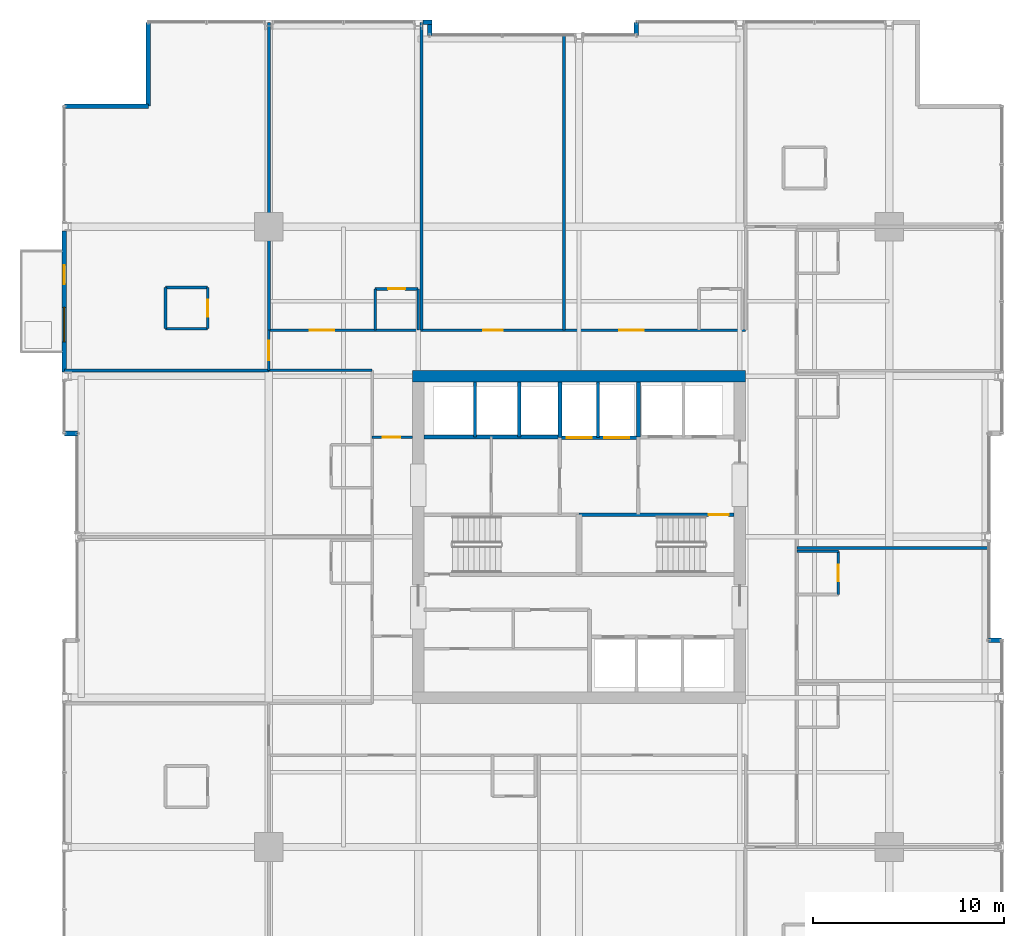
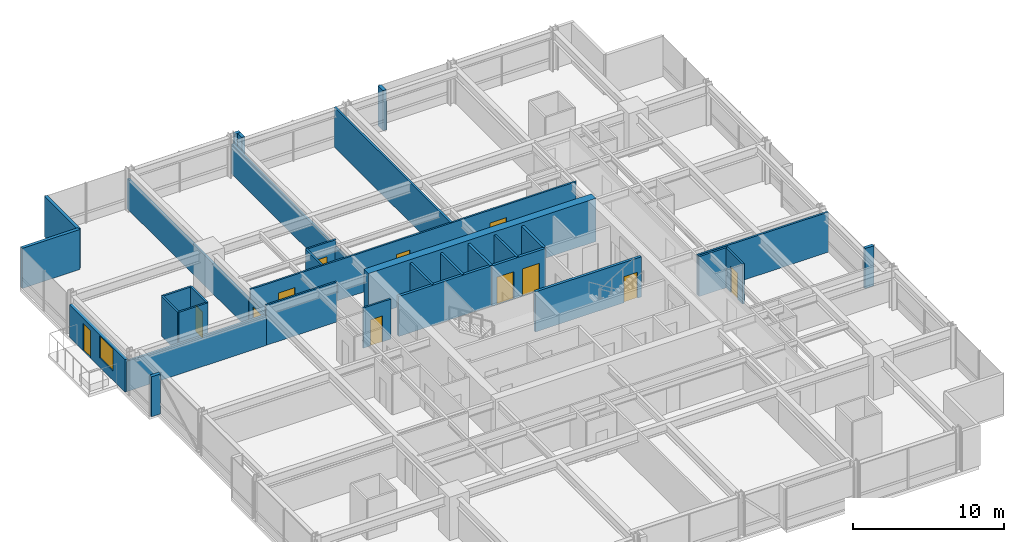
# One storey, part 30 of 34: 35 walls, 12 doors, 1 window, 13 openings.
"""IFC4 building model written with IfcOpenShell, lengths in metres."""

from ifc_helpers import new_model, si_unit, direction, frame, frame_2d, origin, place, context, subcontext, project, spatial, rectangle, extrude, material, layer, layer_set, type_object, element, fill, save


model = new_model("IFC4")

# Units and contexts
model_context = context("Model", 3, precision=1e-05, world=origin(), true_north=direction((0.0, 1.0)))
body_context = subcontext(model_context, "Body", "Model", "MODEL_VIEW")
ifc_project = project(units=[si_unit("LENGTHUNIT", "METRE"), si_unit("AREAUNIT", "SQUARE_METRE"), si_unit("VOLUMEUNIT", "CUBIC_METRE"), si_unit("PLANEANGLEUNIT", "RADIAN"), si_unit("MASSUNIT", "GRAM", prefix="KILO")], contexts=[model_context])

# Site, building, storey
site_placement = place(None, origin())
site = spatial("IfcSite", under=ifc_project, at=site_placement, CompositionType="ELEMENT")
building_placement = place(site_placement, origin())
building = spatial("IfcBuilding", under=site, at=building_placement, Name="Drelvath Grand Hotel", CompositionType="ELEMENT")
storey_placement = place(building_placement, frame((0.0, 0.0, 102.300048828125)))
storey = spatial("IfcBuildingStorey", under=building, at=storey_placement, Name="L25", CompositionType="ELEMENT", Elevation=102.300048828125)

# Wall
ifc_material_1 = material(Name="Concrete C40/50", Category="concrete")
ifc_layer_1 = layer(ifc_material_1, 0.199951171875)
ifc_layer_set_1 = layer_set([ifc_layer_1], Name="Concrete C40/50")
wall_type_1 = type_object("IfcWallType", Name="Core Hoistway Fire Wall 200", PredefinedType="SOLIDWALL", material=ifc_layer_set_1)
wall_1_placement = place(storey_placement, frame((3.10009765625, 32.219970703125, 0.0), z_axis=(0.0, 0.0, 1.0), x_axis=(0.0, 1.0, 0.0)))
element("IfcWall", 1, at=wall_1_placement, inside=storey, type_object=wall_type_1, Name="L25 FSAE Hoistway West Wall", PredefinedType="SOLIDWALL", context=body_context, shape_type="SweptSolid", body=[
    extrude(rectangle(XDim=2.880126953125, YDim=0.199951171875, at=frame_2d((1.43994140625, 0.0))), origin(), (0.0, 0.0, 1.0), 3.239990234375),
])

# Wall, openings, doors
wall_2_placement = place(storey_placement, frame((-1.0, 32.179931640625, 0.0), z_axis=(0.0, 0.0, 1.0), x_axis=(1.0, 0.0, 0.0)))
wall_2 = element("IfcWall", 2, at=wall_2_placement, inside=storey, type_object=wall_type_1, Name="L25 Service Lift Hoistway Wall", PredefinedType="SOLIDWALL", context=body_context, shape_type="SweptSolid", body=[
    extrude(rectangle(XDim=4.10009765625, YDim=0.199951171875, at=frame_2d((2.050048828125, 0.0))), origin(), (0.0, 0.0, 1.0), 3.239990234375),
])
opening_1_placement = place(wall_2_placement, frame((0.3701171875, 0.0, 0.0)))
opening_1 = element("IfcOpeningElement", 3, at=opening_1_placement, cuts=wall_2, Name="Opening LD-SV-2", PredefinedType="OPENING", context=body_context, shape_type="SweptSolid", body=[
    extrude(rectangle(XDim=1.300048828125, YDim=2.199951171875, at=frame_2d((0.64990234375, 1.10009765625))), frame((0.0, 0.10986328125, 0.0), z_axis=(0.0, -1.0, 0.0), x_axis=(1.0, 0.0, 0.0)), (0.0, 0.0, 1.0), 0.219970703125),
])
opening_2_placement = place(wall_2_placement, frame((2.330078125, 0.0, 0.0)))
opening_2 = element("IfcOpeningElement", 4, at=opening_2_placement, cuts=wall_2, Name="Opening LD-SV-1", PredefinedType="OPENING", context=body_context, shape_type="SweptSolid", body=[
    extrude(rectangle(XDim=1.300048828125, YDim=2.199951171875, at=frame_2d((0.64990234375, 1.10009765625))), frame((0.0, 0.10986328125, 0.0), z_axis=(0.0, -1.0, 0.0), x_axis=(1.0, 0.0, 0.0)), (0.0, 0.0, 1.0), 0.219970703125),
])
ifc_material_2 = material(Name="Stainless Steel S355", Category="steel")
door_type_1 = type_object("IfcDoorType", Name="Service Lift Sliding Landing Door 1300x2200", OperationType="NOTDEFINED", PredefinedType="DOOR", material=ifc_material_2)
door_1_placement = place(opening_1_placement, origin())
door_1 = element("IfcDoor", 5, at=door_1_placement, inside=storey, type_object=door_type_1, Name="L25 Lift SV-2 Landing Door", OperationType="SLIDING_TO_LEFT", OverallHeight=2.199951171875, OverallWidth=1.300048828125, PredefinedType="DOOR", context=body_context, shape_type="SweptSolid", body=[
    extrude(rectangle(XDim=1.300048828125, YDim=2.199951171875, at=frame_2d((0.64990234375, 1.10009765625))), frame((0.0, 0.02490234375, 0.0), z_axis=(0.0, -1.0, 0.0), x_axis=(1.0, 0.0, 0.0)), (0.0, 0.0, 1.0), 0.050048828125),
])
fill(opening_1, door_1)
door_2_placement = place(opening_2_placement, origin())
door_2 = element("IfcDoor", 6, at=door_2_placement, inside=storey, type_object=door_type_1, Name="L25 Lift SV-1 Landing Door", OperationType="SLIDING_TO_LEFT", OverallHeight=2.199951171875, OverallWidth=1.300048828125, PredefinedType="DOOR", context=body_context, shape_type="SweptSolid", body=[
    extrude(rectangle(XDim=1.300048828125, YDim=2.199951171875, at=frame_2d((0.64990234375, 1.10009765625))), frame((0.0, 0.02490234375, 0.0), z_axis=(0.0, -1.0, 0.0), x_axis=(1.0, 0.0, 0.0)), (0.0, 0.0, 1.0), 0.050048828125),
])
fill(opening_2, door_2)

# Walls
wall_3_placement = place(storey_placement, frame((-1.0, 32.179931640625, 0.0), z_axis=(0.0, 0.0, 1.0), x_axis=(0.0, 1.0, 0.0)))
element("IfcWall", 7, at=wall_3_placement, inside=storey, type_object=wall_type_1, Name="L25 Service Lift West Wall", PredefinedType="SOLIDWALL", context=body_context, shape_type="SweptSolid", body=[
    extrude(rectangle(XDim=2.920166015625, YDim=0.199951171875, at=frame_2d((1.4599609375, 0.0))), origin(), (0.0, 0.0, 1.0), 3.239990234375),
])
wall_4_placement = place(storey_placement, frame((-8.10009765625, 32.219970703125, 0.0), z_axis=(0.0, 0.0, 1.0), x_axis=(1.0, 0.0, 0.0)))
element("IfcWall", 8, at=wall_4_placement, inside=storey, type_object=wall_type_1, Name="L25 Bank 3 Hoistway Wall", PredefinedType="SOLIDWALL", context=body_context, shape_type="SweptSolid", body=[
    extrude(rectangle(XDim=7.10009765625, YDim=0.199951171875, at=frame_2d((3.550048828125, 0.0))), origin(), (0.0, 0.0, 1.0), 3.239990234375),
])

# Wall, opening, door
ifc_layer_2 = layer(ifc_material_1, 0.199951171875)
ifc_layer_set_2 = layer_set([ifc_layer_2], Name="Concrete C40/50")
wall_type_2 = type_object("IfcWallType", Name="Core Shaft Fire Wall 200", PredefinedType="SOLIDWALL", material=ifc_layer_set_2)
wall_5_placement = place(storey_placement, frame((8.10009765625, 28.159912109375, 0.0), z_axis=(0.0, 0.0, 1.0), x_axis=(-1.0, 0.0, 0.0)))
wall_5 = element("IfcWall", 9, at=wall_5_placement, inside=storey, type_object=wall_type_2, Name="L25 Stair ST-2 North Wall", PredefinedType="SOLIDWALL", context=body_context, shape_type="SweptSolid", body=[
    extrude(rectangle(XDim=8.10009765625, YDim=0.199951171875, at=frame_2d((4.050048828125, 0.0))), origin(), (0.0, 0.0, 1.0), 3.239990234375),
])
opening_3_placement = place(wall_5_placement, frame((0.280029296875, 0.0, 0.0)))
opening_3 = element("IfcOpeningElement", 10, at=opening_3_placement, cuts=wall_5, Name="Opening D-T2G2-002", PredefinedType="OPENING", context=body_context, shape_type="SweptSolid", body=[
    extrude(rectangle(XDim=1.050048828125, YDim=2.10009765625, at=frame_2d((0.52490234375, 1.050048828125))), frame((0.0, 0.10986328125, 0.0), z_axis=(0.0, -1.0, 0.0), x_axis=(1.0, 0.0, 0.0)), (0.0, 0.0, 1.0), 0.219970703125),
])
ifc_material_3 = material(Name="Painted Steel S275", Category="steel")
door_type_2 = type_object("IfcDoorType", Name="Tower Stairwell Fire Door 1050x2100", OperationType="NOTDEFINED", PredefinedType="DOOR", material=ifc_material_3)
door_3_placement = place(opening_3_placement, origin())
door_3 = element("IfcDoor", 11, at=door_3_placement, inside=storey, type_object=door_type_2, Name="L25 Exit Stair ST-2 Door", OperationType="SINGLE_SWING_LEFT", OverallHeight=2.10009765625, OverallWidth=1.050048828125, PredefinedType="DOOR", context=body_context, shape_type="SweptSolid", body=[
    extrude(rectangle(XDim=1.050048828125, YDim=2.10009765625, at=frame_2d((0.52490234375, 1.050048828125))), frame((0.0, 0.02490234375, 0.0), z_axis=(0.0, -1.0, 0.0), x_axis=(1.0, 0.0, 0.0)), (0.0, 0.0, 1.0), 0.050048828125),
])
fill(opening_3, door_3)

# Walls
ifc_material_4 = material(Name="Gypsum Fireboard Partition")
ifc_layer_3 = layer(ifc_material_4, 0.1650390625)
ifc_layer_set_3 = layer_set([ifc_layer_3], Name="Gypsum Fireboard Partition")
wall_type_3 = type_object("IfcWallType", Name="Core Shaft Partition 165", PredefinedType="PARTITIONING", material=ifc_layer_set_3)
wall_6_placement = place(storey_placement, frame((1.0, 32.179931640625, 0.0), z_axis=(0.0, 0.0, 1.0), x_axis=(0.0, 1.0, 0.0)))
element("IfcWall", 12, at=wall_6_placement, inside=storey, type_object=wall_type_3, Name="L25 Service Lift Divider", PredefinedType="PARTITIONING", context=body_context, shape_type="SweptSolid", body=[
    extrude(rectangle(XDim=2.920166015625, YDim=0.1650390625, at=frame_2d((1.4599609375, 0.0))), origin(), (0.0, 0.0, 1.0), 3.239990234375),
])
for number, where, z_axis, x_axis, name in (
    (13, (-5.43994140625, 32.219970703125, 0.0), (0.0, 0.0, 1.0), (0.0, 1.0, 0.0), "L25 Lift PE-7/8 Divider"),
    (14, (-3.1201171875, 32.219970703125, 0.0), (0.0, 0.0, 1.0), (0.0, 1.0, 0.0), "L25 Lift PE-8/9 Divider"),
):
    element("IfcWall", number, at=place(storey_placement, frame(where, z_axis=z_axis, x_axis=x_axis)), inside=storey, type_object=wall_type_3, Name=name, PredefinedType="PARTITIONING", context=body_context, shape_type="SweptSolid", body=[
        extrude(rectangle(XDim=2.880126953125, YDim=0.1650390625, at=frame_2d((1.43994140625, 0.0))), origin(), (0.0, 0.0, 1.0), 3.239990234375),
    ])

# Wall, opening, door
ifc_layer_4 = layer(ifc_material_4, 0.135009765625)
ifc_layer_set_4 = layer_set([ifc_layer_4], Name="Gypsum Fireboard Partition")
wall_type_4 = type_object("IfcWallType", Name="Corridor Fire Barrier Wall 135", PredefinedType="PARTITIONING", material=ifc_layer_set_4)
wall_7_placement = place(storey_placement, frame((-10.800048828125, 32.199951171875, 0.0), z_axis=(0.0, 0.0, 1.0), x_axis=(1.0, 0.0, 0.0)))
wall_7 = element("IfcWall", 15, at=wall_7_placement, inside=storey, type_object=wall_type_4, Name="L25 West Foyer North Wall", PredefinedType="PARTITIONING", context=body_context, shape_type="SweptSolid", body=[
    extrude(rectangle(XDim=2.10009765625, YDim=0.135009765625, at=frame_2d((1.050048828125, 0.0))), origin(), (0.0, 0.0, 1.0), 3.239990234375),
])
opening_4_placement = place(wall_7_placement, frame((0.550048828125, 0.0, 0.0)))
opening_4 = element("IfcOpeningElement", 16, at=opening_4_placement, cuts=wall_7, Name="Opening D-T2G2-020", PredefinedType="OPENING", context=body_context, shape_type="SweptSolid", body=[
    extrude(rectangle(XDim=0.919921875, YDim=2.10009765625, at=frame_2d((0.4599609375, 1.050048828125))), frame((0.0, 0.077392578125, 0.0), z_axis=(0.0, -1.0, 0.0), x_axis=(1.0, 0.0, 0.0)), (0.0, 0.0, 1.0), 0.155029296875),
])
door_type_3 = type_object("IfcDoorType", Name="Staff Utility Door 920x2100", OperationType="NOTDEFINED", PredefinedType="DOOR", material=ifc_material_3)
door_4_placement = place(opening_4_placement, origin())
door_4 = element("IfcDoor", 17, at=door_4_placement, inside=storey, type_object=door_type_3, Name="L25 West Pantry Door", OperationType="SINGLE_SWING_LEFT", OverallHeight=2.10009765625, OverallWidth=0.919921875, PredefinedType="DOOR", context=body_context, shape_type="SweptSolid", body=[
    extrude(rectangle(XDim=0.919921875, YDim=2.10009765625, at=frame_2d((0.4599609375, 1.050048828125))), frame((0.0, 0.02490234375, 0.0), z_axis=(0.0, -1.0, 0.0), x_axis=(1.0, 0.0, 0.0)), (0.0, 0.0, 1.0), 0.050048828125),
])
fill(opening_4, door_4)

# Wall
wall_8_placement = place(storey_placement, frame((-16.199951171875, 35.699951171875, 0.0), z_axis=(0.0, 0.0, 1.0), x_axis=(1.0, 0.0, 0.0)))
element("IfcWall", 18, at=wall_8_placement, inside=storey, type_object=wall_type_4, Name="L25 NW Stub South Wall", PredefinedType="PARTITIONING", context=body_context, shape_type="SweptSolid", body=[
    extrude(rectangle(XDim=5.39990234375, YDim=0.135009765625, at=frame_2d((2.699951171875, 0.0))), origin(), (0.0, 0.0, 1.0), 3.239990234375),
])

# Wall, openings, doors
wall_9_placement = place(storey_placement, frame((-16.199951171875, 37.800048828125, 0.0), z_axis=(0.0, 0.0, 1.0), x_axis=(1.0, 0.0, 0.0)))
wall_9 = element("IfcWall", 19, at=wall_9_placement, inside=storey, type_object=wall_type_4, Name="L25 North Stub Corridor Wall", PredefinedType="PARTITIONING", context=body_context, shape_type="SweptSolid", body=[
    extrude(rectangle(XDim=24.89990234375, YDim=0.135009765625, at=frame_2d((12.449951171875, 0.0))), origin(), (0.0, 0.0, 1.0), 3.239990234375),
])
opening_5_placement = place(wall_9_placement, frame((2.14501953125, 0.0, 0.0)))
opening_5 = element("IfcOpeningElement", 20, at=opening_5_placement, cuts=wall_9, Name="Opening D-T2G2-033", PredefinedType="OPENING", context=body_context, shape_type="SweptSolid", body=[
    extrude(rectangle(XDim=1.260009765625, YDim=2.199951171875, at=frame_2d((0.6298828125, 1.10009765625))), frame((0.0, 0.077392578125, 0.0), z_axis=(0.0, -1.0, 0.0), x_axis=(1.0, 0.0, 0.0)), (0.0, 0.0, 1.0), 0.155029296875),
])
opening_6_placement = place(wall_9_placement, frame((11.18701171875, 0.0, 0.0)))
opening_6 = element("IfcOpeningElement", 21, at=opening_6_placement, cuts=wall_9, Name="Opening D-T2G2-034", PredefinedType="OPENING", context=body_context, shape_type="SweptSolid", body=[
    extrude(rectangle(XDim=1.02001953125, YDim=2.14990234375, at=frame_2d((0.510009765625, 1.074951171875))), frame((0.0, 0.077392578125, 0.0), z_axis=(0.0, -1.0, 0.0), x_axis=(1.0, 0.0, 0.0)), (0.0, 0.0, 1.0), 0.155029296875),
])
opening_7_placement = place(wall_9_placement, frame((18.31201171875, 0.0, 0.0)))
opening_7 = element("IfcOpeningElement", 22, at=opening_7_placement, cuts=wall_9, Name="Opening D-T2G2-036", PredefinedType="OPENING", context=body_context, shape_type="SweptSolid", body=[
    extrude(rectangle(XDim=1.260009765625, YDim=2.199951171875, at=frame_2d((0.6298828125, 1.10009765625))), frame((0.0, 0.077392578125, 0.0), z_axis=(0.0, -1.0, 0.0), x_axis=(1.0, 0.0, 0.0)), (0.0, 0.0, 1.0), 0.155029296875),
])
ifc_material_5 = material(Name="Hardwood Walnut Timber", Category="wood")
door_type_4 = type_object("IfcDoorType", Name="Amenity Meeting Fire Door 1020x2150", OperationType="NOTDEFINED", PredefinedType="DOOR", material=ifc_material_5)
door_5_placement = place(opening_6_placement, origin())
door_5 = element("IfcDoor", 23, at=door_5_placement, inside=storey, type_object=door_type_4, Name="L25 Conference Room Entry Door", OperationType="SINGLE_SWING_LEFT", OverallHeight=2.14990234375, OverallWidth=1.02001953125, PredefinedType="DOOR", context=body_context, shape_type="SweptSolid", body=[
    extrude(rectangle(XDim=1.02001953125, YDim=2.14990234375, at=frame_2d((0.510009765625, 1.074951171875))), frame((0.0, 0.02490234375, 0.0), z_axis=(0.0, -1.0, 0.0), x_axis=(1.0, 0.0, 0.0)), (0.0, 0.0, 1.0), 0.050048828125),
])
fill(opening_6, door_5)
door_type_5 = type_object("IfcDoorType", Name="Suite Entrance Fire Door 1260x2200", OperationType="NOTDEFINED", PredefinedType="DOOR", material=ifc_material_5)
door_6_placement = place(opening_5_placement, origin())
door_6 = element("IfcDoor", 24, at=door_6_placement, inside=storey, type_object=door_type_5, Name="L25 Corner Suite Entry Door", OperationType="SINGLE_SWING_RIGHT", OverallHeight=2.199951171875, OverallWidth=1.260009765625, PredefinedType="DOOR", context=body_context, shape_type="SweptSolid", body=[
    extrude(rectangle(XDim=1.260009765625, YDim=2.199951171875, at=frame_2d((0.6298828125, 1.10009765625))), frame((0.0, 0.02490234375, 0.0), z_axis=(0.0, -1.0, 0.0), x_axis=(1.0, 0.0, 0.0)), (0.0, 0.0, 1.0), 0.050048828125),
])
fill(opening_5, door_6)
door_7_placement = place(opening_7_placement, origin())
door_7 = element("IfcDoor", 25, at=door_7_placement, inside=storey, type_object=door_type_5, Name="L25 Corner Suite Entry Door", OperationType="SINGLE_SWING_LEFT", OverallHeight=2.199951171875, OverallWidth=1.260009765625, PredefinedType="DOOR", context=body_context, shape_type="SweptSolid", body=[
    extrude(rectangle(XDim=1.260009765625, YDim=2.199951171875, at=frame_2d((0.6298828125, 1.10009765625))), frame((0.0, 0.02490234375, 0.0), z_axis=(0.0, -1.0, 0.0), x_axis=(1.0, 0.0, 0.0)), (0.0, 0.0, 1.0), 0.050048828125),
])
fill(opening_7, door_7)

# Wall, opening, door
wall_10_placement = place(storey_placement, frame((-16.199951171875, 35.699951171875, 0.0), z_axis=(0.0, 0.0, 1.0), x_axis=(0.0, 1.0, 0.0)))
wall_10 = element("IfcWall", 26, at=wall_10_placement, inside=storey, type_object=wall_type_4, Name="L25 North Stub West End", PredefinedType="PARTITIONING", context=body_context, shape_type="SweptSolid", body=[
    extrude(rectangle(XDim=2.10009765625, YDim=0.135009765625, at=frame_2d((1.050048828125, 0.0))), origin(), (0.0, 0.0, 1.0), 2.45166015625),
])
opening_8_placement = place(wall_10_placement, frame((0.52001953125, 0.0, 0.0)))
opening_8 = element("IfcOpeningElement", 27, at=opening_8_placement, cuts=wall_10, Name="Opening D-T2G2-024", PredefinedType="OPENING", context=body_context, shape_type="SweptSolid", body=[
    extrude(rectangle(XDim=1.02001953125, YDim=2.14990234375, at=frame_2d((0.510009765625, 1.074951171875))), frame((0.0, 0.077392578125, 0.0), z_axis=(0.0, -1.0, 0.0), x_axis=(1.0, 0.0, 0.0)), (0.0, 0.0, 1.0), 0.155029296875),
])
door_8_placement = place(opening_8_placement, origin())
door_8 = element("IfcDoor", 28, at=door_8_placement, inside=storey, type_object=door_type_4, Name="L25 Corner Suite Entry Door", OperationType="SINGLE_SWING_LEFT", OverallHeight=2.14990234375, OverallWidth=1.02001953125, PredefinedType="DOOR", context=body_context, shape_type="SweptSolid", body=[
    extrude(rectangle(XDim=1.02001953125, YDim=2.14990234375, at=frame_2d((0.510009765625, 1.074951171875))), frame((0.0, 0.02490234375, 0.0), z_axis=(0.0, -1.0, 0.0), x_axis=(1.0, 0.0, 0.0)), (0.0, 0.0, 1.0), 0.050048828125),
])
fill(opening_8, door_8)

# Walls
ifc_material_6 = material(Name="Moisture-Resistant Gypsum Board")
ifc_layer_5 = layer(ifc_material_6, 0.139892578125)
ifc_layer_set_5 = layer_set([ifc_layer_5], Name="Moisture-Resistant Gypsum Board")
wall_type_5 = type_object("IfcWallType", Name="En-Suite Plumbing Wall 140", PredefinedType="PLUMBINGWALL", material=ifc_layer_set_5)
for number, where, z_axis, x_axis, name in (
    (29, (-21.60009765625, 37.8798828125, 0.0), (0.0, 0.0, 1.0), (1.0, 0.0, 0.0), "L25 Corner En-Suite South"),
    (30, (-21.60009765625, 40.030029296875, 0.0), (0.0, 0.0, 1.0), (1.0, 0.0, 0.0), "L25 Corner En-Suite North"),
):
    element("IfcWall", number, at=place(storey_placement, frame(where, z_axis=z_axis, x_axis=x_axis)), inside=storey, type_object=wall_type_5, Name=name, PredefinedType="PLUMBINGWALL", context=body_context, shape_type="SweptSolid", body=[
        extrude(rectangle(XDim=2.2001953125, YDim=0.139892578125, at=frame_2d((1.10009765625, 0.0))), origin(), (0.0, 0.0, 1.0), 3.239990234375),
    ])
wall_11_placement = place(storey_placement, frame((-21.60009765625, 37.8798828125, 0.0), z_axis=(0.0, 0.0, 1.0), x_axis=(0.0, 1.0, 0.0)))
element("IfcWall", 31, at=wall_11_placement, inside=storey, type_object=wall_type_5, Name="L25 Corner En-Suite West", PredefinedType="PLUMBINGWALL", context=body_context, shape_type="SweptSolid", body=[
    extrude(rectangle(XDim=2.150146484375, YDim=0.139892578125, at=frame_2d((1.0751953125, 0.0))), origin(), (0.0, 0.0, 1.0), 3.239990234375),
])

# Wall, opening, door
wall_12_placement = place(storey_placement, frame((-19.39990234375, 37.8798828125, 0.0), z_axis=(0.0, 0.0, 1.0), x_axis=(0.0, 1.0, 0.0)))
wall_12 = element("IfcWall", 32, at=wall_12_placement, inside=storey, type_object=wall_type_5, Name="L25 Corner En-Suite East", PredefinedType="PLUMBINGWALL", context=body_context, shape_type="SweptSolid", body=[
    extrude(rectangle(XDim=2.150146484375, YDim=0.139892578125, at=frame_2d((1.0751953125, 0.0))), origin(), (0.0, 0.0, 1.0), 3.239990234375),
])
opening_9_placement = place(wall_12_placement, frame((0.6201171875, 0.0, 0.0)))
opening_9 = element("IfcOpeningElement", 33, at=opening_9_placement, cuts=wall_12, Name="Opening D-T2G2-023", PredefinedType="OPENING", context=body_context, shape_type="SweptSolid", body=[
    extrude(rectangle(XDim=0.8798828125, YDim=2.10009765625, at=frame_2d((0.43994140625, 1.050048828125))), frame((0.0, 0.079833984375, 0.0), z_axis=(0.0, -1.0, 0.0), x_axis=(1.0, 0.0, 0.0)), (0.0, 0.0, 1.0), 0.159912109375),
])
door_type_6 = type_object("IfcDoorType", Name="En-Suite Bathroom Door 880x2100", OperationType="NOTDEFINED", PredefinedType="DOOR", material=ifc_material_5)
door_9_placement = place(opening_9_placement, origin())
door_9 = element("IfcDoor", 34, at=door_9_placement, inside=storey, type_object=door_type_6, Name="L25 Corner En-Suite Door", OperationType="SINGLE_SWING_RIGHT", OverallHeight=2.10009765625, OverallWidth=0.8798828125, PredefinedType="DOOR", context=body_context, shape_type="SweptSolid", body=[
    extrude(rectangle(XDim=0.8798828125, YDim=2.10009765625, at=frame_2d((0.43994140625, 1.050048828125))), frame((0.0, 0.02490234375, 0.0), z_axis=(0.0, -1.0, 0.0), x_axis=(1.0, 0.0, 0.0)), (0.0, 0.0, 1.0), 0.050048828125),
])
fill(opening_9, door_9)

# Walls
wall_13_placement = place(storey_placement, frame((-10.64990234375, 37.800048828125, 0.0), z_axis=(0.0, 0.0, 1.0), x_axis=(0.0, 1.0, 0.0)))
element("IfcWall", 35, at=wall_13_placement, inside=storey, type_object=wall_type_5, Name="L25 En-Suite Left Wall", PredefinedType="PLUMBINGWALL", context=body_context, shape_type="SweptSolid", body=[
    extrude(rectangle(XDim=2.14990234375, YDim=0.139892578125, at=frame_2d((1.074951171875, 0.0))), origin(), (0.0, 0.0, 1.0), 3.239990234375),
])
wall_14_placement = place(storey_placement, frame((-8.39990234375, 37.800048828125, 0.0), z_axis=(0.0, 0.0, 1.0), x_axis=(0.0, 1.0, 0.0)))
element("IfcWall", 36, at=wall_14_placement, inside=storey, type_object=wall_type_5, Name="L25 En-Suite Right Wall", PredefinedType="PLUMBINGWALL", context=body_context, shape_type="SweptSolid", body=[
    extrude(rectangle(XDim=2.14990234375, YDim=0.139892578125, at=frame_2d((1.074951171875, 0.0))), origin(), (0.0, 0.0, 1.0), 2.617431640625),
])

# Wall, opening, door
wall_15_placement = place(storey_placement, frame((-10.64990234375, 39.949951171875, 0.0), z_axis=(0.0, 0.0, 1.0), x_axis=(1.0, 0.0, 0.0)))
wall_15 = element("IfcWall", 37, at=wall_15_placement, inside=storey, type_object=wall_type_5, Name="L25 En-Suite Front Wall", PredefinedType="PLUMBINGWALL", context=body_context, shape_type="SweptSolid", body=[
    extrude(rectangle(XDim=2.25, YDim=0.139892578125, at=frame_2d((1.125, 0.0))), origin(), (0.0, 0.0, 1.0), 3.239990234375),
])
opening_10_placement = place(wall_15_placement, frame((0.68505859375, 0.0, 0.0)))
opening_10 = element("IfcOpeningElement", 38, at=opening_10_placement, cuts=wall_15, Name="Opening D-T2G2-032", PredefinedType="OPENING", context=body_context, shape_type="SweptSolid", body=[
    extrude(rectangle(XDim=0.8798828125, YDim=2.10009765625, at=frame_2d((0.43994140625, 1.050048828125))), frame((0.0, 0.079833984375, 0.0), z_axis=(0.0, -1.0, 0.0), x_axis=(1.0, 0.0, 0.0)), (0.0, 0.0, 1.0), 0.159912109375),
])
door_10_placement = place(opening_10_placement, origin())
door_10 = element("IfcDoor", 39, at=door_10_placement, inside=storey, type_object=door_type_6, Name="L25 En-Suite Bathroom Door", OperationType="SINGLE_SWING_LEFT", OverallHeight=2.10009765625, OverallWidth=0.8798828125, PredefinedType="DOOR", context=body_context, shape_type="SweptSolid", body=[
    extrude(rectangle(XDim=0.8798828125, YDim=2.10009765625, at=frame_2d((0.43994140625, 1.050048828125))), frame((0.0, 0.02490234375, 0.0), z_axis=(0.0, -1.0, 0.0), x_axis=(1.0, 0.0, 0.0)), (0.0, 0.0, 1.0), 0.050048828125),
])
fill(opening_10, door_10)

# Wall
wall_16_placement = place(storey_placement, frame((11.39990234375, 26.241455078125, 0.0), z_axis=(0.0, 0.0, 1.0), x_axis=(1.0, 0.0, 0.0)))
element("IfcWall", 40, at=wall_16_placement, inside=storey, type_object=wall_type_5, Name="L25 En-Suite Right Wall", PredefinedType="PLUMBINGWALL", context=body_context, shape_type="SweptSolid", body=[
    extrude(rectangle(XDim=2.150146484375, YDim=0.139892578125, at=frame_2d((1.0751953125, 0.0))), origin(), (0.0, 0.0, 1.0), 3.239990234375),
])

# Wall, opening, door
wall_17_placement = place(storey_placement, frame((13.550048828125, 23.991455078125, 0.0), z_axis=(0.0, 0.0, 1.0), x_axis=(0.0, 1.0, 0.0)))
wall_17 = element("IfcWall", 41, at=wall_17_placement, inside=storey, type_object=wall_type_5, Name="L25 En-Suite Front Wall", PredefinedType="PLUMBINGWALL", context=body_context, shape_type="SweptSolid", body=[
    extrude(rectangle(XDim=2.25, YDim=0.139892578125, at=frame_2d((1.125, 0.0))), origin(), (0.0, 0.0, 1.0), 3.239990234375),
])
opening_11_placement = place(wall_17_placement, frame((0.68505859375, 0.0, 0.0)))
opening_11 = element("IfcOpeningElement", 42, at=opening_11_placement, cuts=wall_17, Name="Opening D-T2G2-039", PredefinedType="OPENING", context=body_context, shape_type="SweptSolid", body=[
    extrude(rectangle(XDim=0.8798828125, YDim=2.10009765625, at=frame_2d((0.43994140625, 1.050048828125))), frame((0.0, 0.079833984375, 0.0), z_axis=(0.0, -1.0, 0.0), x_axis=(1.0, 0.0, 0.0)), (0.0, 0.0, 1.0), 0.159912109375),
])
door_11_placement = place(opening_11_placement, origin())
door_11 = element("IfcDoor", 43, at=door_11_placement, inside=storey, type_object=door_type_6, Name="L25 En-Suite Bathroom Door", OperationType="SINGLE_SWING_RIGHT", OverallHeight=2.10009765625, OverallWidth=0.8798828125, PredefinedType="DOOR", context=body_context, shape_type="SweptSolid", body=[
    extrude(rectangle(XDim=0.8798828125, YDim=2.10009765625, at=frame_2d((0.43994140625, 1.050048828125))), frame((0.0, 0.02490234375, 0.0), z_axis=(0.0, -1.0, 0.0), x_axis=(1.0, 0.0, 0.0)), (0.0, 0.0, 1.0), 0.050048828125),
])
fill(opening_11, door_11)

# Walls
ifc_material_7 = material(Name="Gypsum Acoustic Partition")
ifc_layer_6 = layer(ifc_material_7, 0.14990234375)
ifc_layer_set_6 = layer_set([ifc_layer_6], Name="Gypsum Acoustic Partition")
wall_type_6 = type_object("IfcWallType", Name="Guestroom Demising Wall 150", PredefinedType="PARTITIONING", material=ifc_layer_set_6)
wall_18_placement = place(storey_placement, frame((-8.219970703125, 37.800048828125, 0.0), z_axis=(0.0, 0.0, 1.0), x_axis=(0.0, 1.0, 0.0)))
element("IfcWall", 44, at=wall_18_placement, inside=storey, type_object=wall_type_6, Name="L25 North Demising 1", PredefinedType="PARTITIONING", context=body_context, shape_type="SweptSolid", body=[
    extrude(rectangle(XDim=16.079833984375, YDim=0.14990234375, at=frame_2d((8.0400390625, 0.0))), origin(), (0.0, 0.0, 1.0), 2.45166015625),
])
wall_19_placement = place(storey_placement, frame((-0.78564453125, 37.800048828125, 0.0), z_axis=(0.0, 0.0, 1.0), x_axis=(0.0, 1.0, 0.0)))
element("IfcWall", 45, at=wall_19_placement, inside=storey, type_object=wall_type_6, Name="L25 North Demising 2", PredefinedType="PARTITIONING", context=body_context, shape_type="SweptSolid", body=[
    extrude(rectangle(XDim=15.39990234375, YDim=0.14990234375, at=frame_2d((7.699951171875, 0.0))), origin(), (0.0, 0.0, 1.0), 3.239990234375),
])
wall_20_placement = place(storey_placement, frame((11.39990234375, 26.42138671875, 0.0), z_axis=(0.0, 0.0, 1.0), x_axis=(1.0, 0.0, 0.0)))
element("IfcWall", 46, at=wall_20_placement, inside=storey, type_object=wall_type_6, Name="L25 East Demising 2", PredefinedType="PARTITIONING", context=body_context, shape_type="SweptSolid", body=[
    extrude(rectangle(XDim=10.0, YDim=0.14990234375, at=frame_2d((5.0, 0.0))), origin(), (0.0, 0.0, 1.0), 3.239990234375),
])
ifc_material_8 = material(Name="Concrete f'c 70 MPa", Category="concrete")
ifc_layer_7 = layer(ifc_material_8, 0.60009765625)
ifc_layer_set_7 = layer_set([ifc_layer_7], Name="Concrete f'c 70 MPa")
wall_type_7 = type_object("IfcWallType", Name="Lower Core RC Shear Wall 600", PredefinedType="SHEAR", material=ifc_layer_set_7)
wall_21_placement = place(storey_placement, frame((-8.699951171875, 35.39990234375, 0.0), z_axis=(0.0, 0.0, 1.0), x_axis=(1.0, 0.0, 0.0)))
element("IfcWall", 47, at=wall_21_placement, inside=storey, type_object=wall_type_7, Name="L25 Central Core Shear Wall N", PredefinedType="SHEAR", context=body_context, shape_type="SweptSolid", body=[
    extrude(rectangle(XDim=17.39990234375, YDim=0.60009765625, at=frame_2d((8.699951171875, 0.0))), origin(), (0.0, 0.0, 1.0), 3.5),
])
ifc_layer_8 = layer(ifc_material_7, 0.1650390625)
ifc_layer_set_8 = layer_set([ifc_layer_8], Name="Gypsum Acoustic Partition")
wall_type_8 = type_object("IfcWallType", Name="Suite Demising Wall 165", PredefinedType="PARTITIONING", material=ifc_layer_set_8)
wall_22_placement = place(storey_placement, frame((-16.199951171875, 37.800048828125, 0.0), z_axis=(0.0, 0.0, 1.0), x_axis=(0.0, 1.0, 0.0)))
element("IfcWall", 48, at=wall_22_placement, inside=storey, type_object=wall_type_8, Name="L25 NW Suite East Wall", PredefinedType="PARTITIONING", context=body_context, shape_type="SweptSolid", body=[
    extrude(rectangle(XDim=16.079833984375, YDim=0.1650390625, at=frame_2d((8.0400390625, 0.0))), origin(), (0.0, 0.0, 1.0), 2.45166015625),
])
wall_23_placement = place(storey_placement, frame((-26.8798828125, 35.699951171875, 0.0), z_axis=(0.0, 0.0, 1.0), x_axis=(1.0, 0.0, 0.0)))
element("IfcWall", 49, at=wall_23_placement, inside=storey, type_object=wall_type_8, Name="L25 NW Suite South Wall", PredefinedType="PARTITIONING", context=body_context, shape_type="SweptSolid", body=[
    extrude(rectangle(XDim=10.679931640625, YDim=0.1650390625, at=frame_2d((5.33984375, 0.0))), origin(), (0.0, 0.0, 1.0), 2.45166015625),
])

# Wall, openings, window, door
ifc_material_9 = material(Name="Pale-Metal Insulated Aluminium Spandrel Assembly", Category="aluminium")
ifc_layer_9 = layer(ifc_material_9, 0.239990234375)
ifc_layer_set_9 = layer_set([ifc_layer_9], Name="Pale-Metal Insulated Aluminium Spandrel Assembly")
wall_type_9 = type_object("IfcWallType", Name="Tower Insulated Metal Spandrel Closure Wall 240", PredefinedType="STANDARD", material=ifc_layer_set_9)
wall_24_placement = place(storey_placement, frame((-26.8798828125, 35.61962890625, 0.0), z_axis=(0.0, 0.0, 1.0), x_axis=(0.0, 1.0, 0.0)))
wall_24 = element("IfcWall", 50, at=wall_24_placement, inside=storey, type_object=wall_type_9, Name="L25 Exterior Terrace Door Bay Wall WN2", PredefinedType="STANDARD", context=body_context, shape_type="SweptSolid", body=[
    extrude(rectangle(XDim=7.36083984375, YDim=0.239990234375, at=frame_2d((3.680419921875, 0.0))), origin(), (0.0, 0.0, 1.0), 2.62890625),
])
opening_12_placement = place(wall_24_placement, frame((4.580322265625, 0.0, 0.0)))
opening_12 = element("IfcOpeningElement", 51, at=opening_12_placement, cuts=wall_24, Name="Opening TD-1000", PredefinedType="OPENING", context=body_context, shape_type="SweptSolid", body=[
    extrude(rectangle(XDim=1.0, YDim=2.199951171875, at=frame_2d((0.5, 1.10009765625))), frame((0.0, 0.1298828125, 0.0), z_axis=(0.0, -1.0, 0.0), x_axis=(1.0, 0.0, 0.0)), (0.0, 0.0, 1.0), 0.260009765625),
])
opening_13_placement = place(wall_24_placement, frame((1.564208984375, 0.0, 0.75)))
opening_13 = element("IfcOpeningElement", 52, at=opening_13_placement, cuts=wall_24, Name="Opening W-02", PredefinedType="OPENING", context=body_context, shape_type="SweptSolid", body=[
    extrude(rectangle(XDim=1.800048828125, YDim=1.779052734375, at=frame_2d((0.89990234375, 0.8896484375))), frame((0.0, 0.1298828125, 0.0), z_axis=(0.0, -1.0, 0.0), x_axis=(1.0, 0.0, 0.0)), (0.0, 0.0, 1.0), 0.260009765625),
])
ifc_material_10 = material(Name="Bronze Anodised Low-E Triple Glazing", Category="glass")
window_type = type_object("IfcWindowType", Name="Chicago Double-Pane Podium Window 1800x2400", PartitioningType="DOUBLE_PANEL_VERTICAL", PredefinedType="WINDOW", material=ifc_material_10)
window_placement = place(opening_13_placement, origin())
window = element("IfcWindow", 53, at=window_placement, inside=storey, type_object=window_type, Name="L25 Terrace Bay Companion Window WN2", OverallHeight=1.779052734375, OverallWidth=1.800048828125, PartitioningType="SINGLE_PANEL", PredefinedType="WINDOW", context=body_context, shape_type="SweptSolid", body=[
    extrude(rectangle(XDim=1.800048828125, YDim=1.779052734375, at=frame_2d((0.89990234375, 0.8896484375))), frame((0.0, 0.030029296875, 0.0), z_axis=(0.0, -1.0, 0.0), x_axis=(1.0, 0.0, 0.0)), (0.0, 0.0, 1.0), 0.06005859375),
])
fill(opening_13, window)
ifc_material_11 = material(Name="Anodised Aluminium Thermally Broken Glazed Door", Category="aluminium")
door_type_7 = type_object("IfcDoorType", Name="Terrace and Tree Balcony Glazed Door 1000x2200", OperationType="NOTDEFINED", PredefinedType="DOOR", material=ifc_material_11)
door_12_placement = place(opening_12_placement, origin())
door_12 = element("IfcDoor", 54, at=door_12_placement, inside=storey, type_object=door_type_7, Name="L25 Tree Balcony Door DOOR-L25-TBAL-1", OperationType="SINGLE_SWING_LEFT", OverallHeight=2.199951171875, OverallWidth=1.0, PredefinedType="DOOR", context=body_context, shape_type="SweptSolid", body=[
    extrude(rectangle(XDim=1.0, YDim=2.199951171875, at=frame_2d((0.5, 1.10009765625))), frame((0.0, 0.02490234375, 0.0), z_axis=(0.0, -1.0, 0.0), x_axis=(1.0, 0.0, 0.0)), (0.0, 0.0, 1.0), 0.050048828125),
])
fill(opening_12, door_12)

# Walls
wall_25_placement = place(storey_placement, frame((-8.14501953125, 53.8798828125, 0.0), z_axis=(0.0, 0.0, 1.0), x_axis=(1.0, 0.0, 0.0)))
element("IfcWall", 55, at=wall_25_placement, inside=storey, type_object=wall_type_9, Name="L25 Corner Pier Spandrel Wall NW3", PredefinedType="STANDARD", context=body_context, shape_type="SweptSolid", body=[
    extrude(rectangle(XDim=0.465087890625, YDim=0.239990234375, at=frame_2d((0.232421875, 0.0))), origin(), (0.0, 0.0, 1.0), 3.239990234375),
])
for number, where, z_axis, x_axis, name in (
    (56, (-26.8798828125, 49.5, 0.0), (0.0, 0.0, 1.0), (1.0, 0.0, 0.0), "L25 Notched Corner Return Spandrel Wall CNW1"),
    (57, (-22.5, 49.5, 0.0), (0.0, 0.0, 1.0), (0.0, 1.0, 0.0), "L25 Notched Corner Return Spandrel Wall CNW2"),
):
    element("IfcWall", number, at=place(storey_placement, frame(where, z_axis=z_axis, x_axis=x_axis)), inside=storey, type_object=wall_type_9, Name=name, PredefinedType="STANDARD", context=body_context, shape_type="SweptSolid", body=[
        extrude(rectangle(XDim=4.3798828125, YDim=0.239990234375, at=frame_2d((2.18994140625, 0.0))), origin(), (0.0, 0.0, 1.0), 3.239990234375),
    ])
wall_26_placement = place(storey_placement, frame((-26.199951171875, 32.39990234375, 0.0), z_axis=(0.0, 0.0, 1.0), x_axis=(-1.0, 0.0, 0.0)))
element("IfcWall", 58, at=wall_26_placement, inside=storey, type_object=wall_type_9, Name="L25 Notched Corner Return Spandrel Wall RW2", PredefinedType="STANDARD", context=body_context, shape_type="SweptSolid", body=[
    extrude(rectangle(XDim=0.679931640625, YDim=0.239990234375, at=frame_2d((0.33984375, 0.0))), origin(), (0.0, 0.0, 1.0), 3.239990234375),
])
wall_27_placement = place(storey_placement, frame((21.39990234375, 21.60009765625, 0.0), z_axis=(0.0, 0.0, 1.0), x_axis=(1.0, 0.0, 0.0)))
element("IfcWall", 59, at=wall_27_placement, inside=storey, type_object=wall_type_9, Name="L25 Notched Corner Return Spandrel Wall RE2", PredefinedType="STANDARD", context=body_context, shape_type="SweptSolid", body=[
    extrude(rectangle(XDim=0.68017578125, YDim=0.239990234375, at=frame_2d((0.340087890625, 0.0))), origin(), (0.0, 0.0, 1.0), 3.239990234375),
])
wall_28_placement = place(storey_placement, frame((-7.800048828125, 53.760009765625, 0.0), z_axis=(0.0, 0.0, 1.0), x_axis=(0.0, -1.0, 0.0)))
element("IfcWall", 60, at=wall_28_placement, inside=storey, type_object=wall_type_9, Name="L25 Notched Corner Return Spandrel Wall RN1", PredefinedType="STANDARD", context=body_context, shape_type="SweptSolid", body=[
    extrude(rectangle(XDim=0.56005859375, YDim=0.239990234375, at=frame_2d((0.280029296875, 0.0))), origin(), (0.0, 0.0, 1.0), 3.239990234375),
])
wall_29_placement = place(storey_placement, frame((3.0, 53.199951171875, 0.0), z_axis=(0.0, 0.0, 1.0), x_axis=(0.0, 1.0, 0.0)))
element("IfcWall", 61, at=wall_29_placement, inside=storey, type_object=wall_type_9, Name="L25 Notched Corner Return Spandrel Wall RN2", PredefinedType="STANDARD", context=body_context, shape_type="SweptSolid", body=[
    extrude(rectangle(XDim=0.679931640625, YDim=0.239990234375, at=frame_2d((0.33984375, 0.0))), origin(), (0.0, 0.0, 1.0), 3.239990234375),
])

save(model, "model.ifc")
